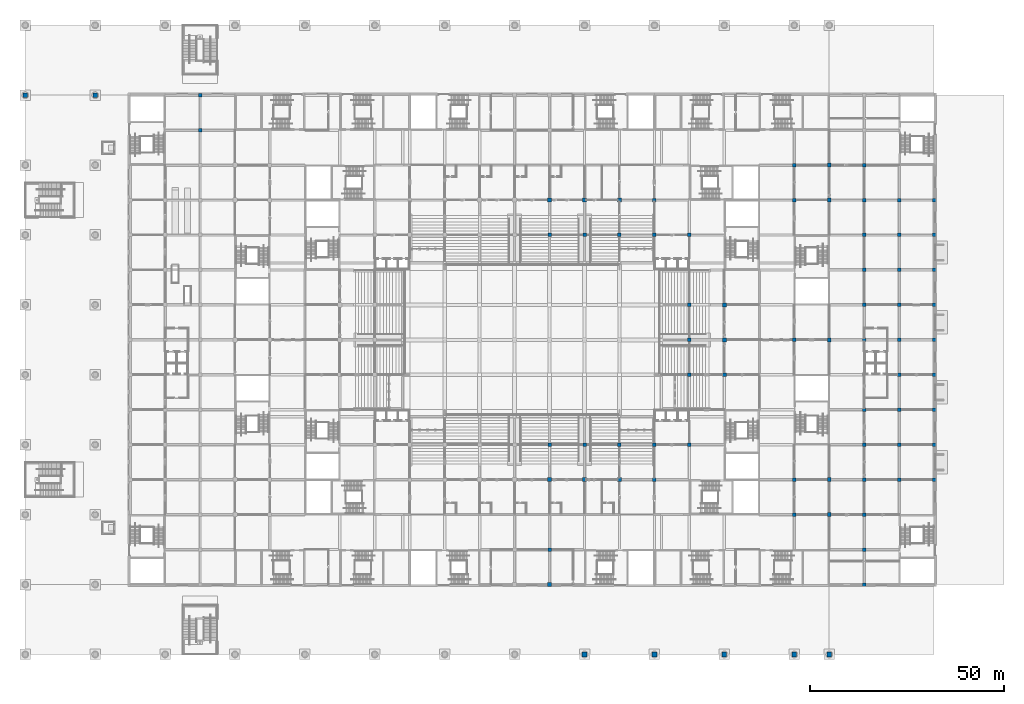
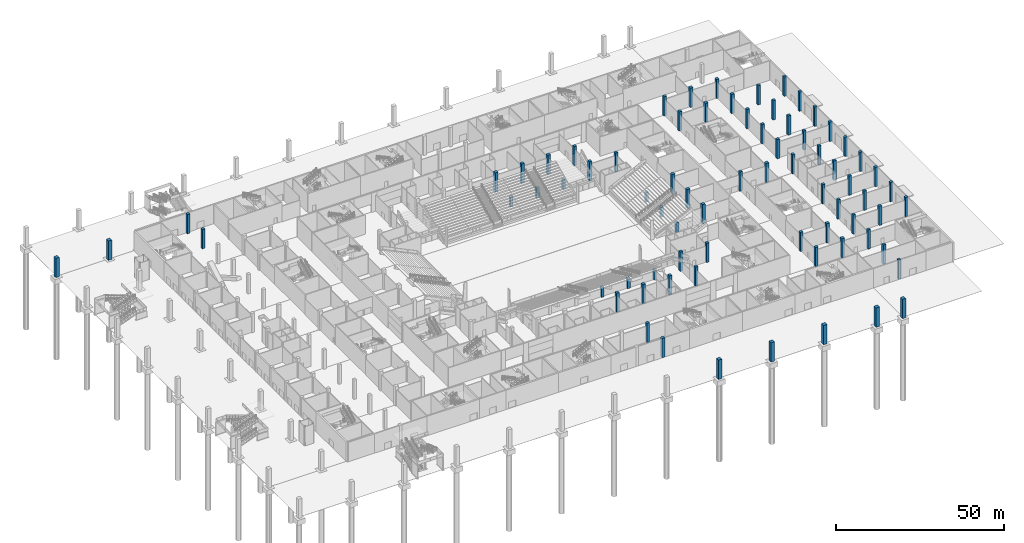
# One storey, part 5 of 92: 75 columns.
"""IFC4 building model written with IfcOpenShell, lengths in metres."""

from ifc_helpers import new_model, si_unit, direction, frame, origin, origin_2d, place, context, subcontext, project, spatial, rectangle, extrude, material, material_profile, profile_set, type_object, element, save


model = new_model("IFC4")

# Units and contexts
model_context = context("Model", 3, precision=1e-05, world=origin(), true_north=direction((0.0, 1.0)))
body_context = subcontext(model_context, "Body", "Model", "MODEL_VIEW")
ifc_project = project(units=[si_unit("LENGTHUNIT", "METRE"), si_unit("AREAUNIT", "SQUARE_METRE"), si_unit("VOLUMEUNIT", "CUBIC_METRE"), si_unit("PLANEANGLEUNIT", "RADIAN"), si_unit("MASSUNIT", "GRAM", prefix="KILO")], contexts=[model_context])

# Site, building, storey
site_placement = place(None, origin())
site = spatial("IfcSite", under=ifc_project, at=site_placement, CompositionType="ELEMENT")
building_placement = place(site_placement, origin())
building = spatial("IfcBuilding", under=site, at=building_placement, Name="Silverbay Arena", CompositionType="ELEMENT")
storey_placement = place(building_placement, origin())
storey = spatial("IfcBuildingStorey", under=building, at=storey_placement, Name="L00", CompositionType="ELEMENT", Elevation=0.0)

# Columns
ifc_material_1 = material(Name="Concrete Grade 60", Category="concrete")
ifc_material_profile_1 = material_profile(ifc_material_1, rectangle(XDim=1.0, YDim=1.0, at=origin_2d()), Name="RC 1000x1000")
ifc_profile_set_1 = profile_set([ifc_material_profile_1], Name="Concrete Grade 60")
column_type_1 = type_object("IfcColumnType", Name="RC column 1000x1000", PredefinedType="COLUMN", material=ifc_profile_set_1)
for number, where, z_axis, x_axis, name in (
    (1, (135.0, 18.0, 0.0), (0.0, 0.0, 1.0), (1.0, 0.0, 0.0), "Column 16/C L00"),
    (2, (207.0, 36.0, 0.0), (0.0, 0.0, 1.0), (1.0, 0.0, 0.0), "Column 24/E L00"),
    (3, (207.0, 45.0, 0.0), (0.0, 0.0, 1.0), (1.0, 0.0, 0.0), "Column 24/F L00"),
    (4, (207.0, 81.0, 0.0), (0.0, 0.0, 1.0), (1.0, 0.0, 0.0), "Column 24/K L00"),
    (5, (207.0, 117.0, 0.0), (0.0, 0.0, 1.0), (1.0, 0.0, 0.0), "Column 24/P L00"),
    (6, (207.0, 126.0, 0.0), (0.0, 0.0, 1.0), (1.0, 0.0, 0.0), "Column 24/Q L00"),
    (7, (135.0, 45.0, 0.0), (0.0, 0.0, 1.0), (1.0, 0.0, 0.0), "Column 16/F L00"),
    (8, (144.0, 45.0, 0.0), (0.0, 0.0, 1.0), (1.0, 0.0, 0.0), "Column 17/F L00"),
    (9, (153.0, 45.0, 0.0), (0.0, 0.0, 1.0), (1.0, 0.0, 0.0), "Column 18/F L00"),
    (10, (135.0, 117.0, 0.0), (0.0, 0.0, 1.0), (1.0, 0.0, 0.0), "Column 16/P L00"),
    (11, (144.0, 117.0, 0.0), (0.0, 0.0, 1.0), (1.0, 0.0, 0.0), "Column 17/P L00"),
    (12, (153.0, 117.0, 0.0), (0.0, 0.0, 1.0), (1.0, 0.0, 0.0), "Column 18/P L00"),
    (13, (180.0, 72.0, 0.0), (0.0, 0.0, 1.0), (1.0, 0.0, 0.0), "Column 21/J L00"),
    (14, (180.0, 81.0, 0.0), (0.0, 0.0, 1.0), (1.0, 0.0, 0.0), "Column 21/K L00"),
    (15, (180.0, 90.0, 0.0), (0.0, 0.0, 1.0), (1.0, 0.0, 0.0), "Column 21/L L00"),
):
    element("IfcColumn", number, at=place(storey_placement, frame(where, z_axis=z_axis, x_axis=x_axis)), inside=storey, type_object=column_type_1, Name=name, PredefinedType="COLUMN", context=body_context, shape_type="SweptSolid", body=[
        extrude(rectangle(XDim=1.0, YDim=1.0, at=origin_2d()), origin(), (0.0, 0.0, 1.0), 7.0),
    ])
ifc_material_2 = material(Name="Concrete Grade 60", Category="concrete")
ifc_material_profile_2 = material_profile(ifc_material_2, rectangle(XDim=1.199951171875, YDim=1.199951171875, at=origin_2d()), Name="RC 1200x1200")
ifc_profile_set_2 = profile_set([ifc_material_profile_2], Name="Concrete Grade 60")
column_type_2 = type_object("IfcColumnType", Name="RC column 1200x1200", PredefinedType="COLUMN", material=ifc_profile_set_2)
for number, where, z_axis, x_axis, name in (
    (16, (0.0, 144.0, 0.0), (0.0, 0.0, 1.0), (1.0, 0.0, 0.0), "Column 1/S L00"),
    (17, (18.0, 144.0, 0.0), (0.0, 0.0, 1.0), (1.0, 0.0, 0.0), "Column 3/S L00"),
    (18, (144.0, 0.0, 0.0), (0.0, 0.0, 1.0), (1.0, 0.0, 0.0), "Column 17/A L00"),
    (19, (162.0, 0.0, 0.0), (0.0, 0.0, 1.0), (1.0, 0.0, 0.0), "Column 19/A L00"),
    (20, (180.0, 0.0, 0.0), (0.0, 0.0, 1.0), (1.0, 0.0, 0.0), "Column 21/A L00"),
    (21, (198.0, 0.0, 0.0), (0.0, 0.0, 1.0), (1.0, 0.0, 0.0), "Column 23/A L00"),
    (22, (207.0, 0.0, 0.0), (0.0, 0.0, 1.0), (1.0, 0.0, 0.0), "Column 24/A L00"),
):
    element("IfcColumn", number, at=place(storey_placement, frame(where, z_axis=z_axis, x_axis=x_axis)), inside=storey, type_object=column_type_2, Name=name, PredefinedType="COLUMN", context=body_context, shape_type="SweptSolid", body=[
        extrude(rectangle(XDim=1.199951171875, YDim=1.199951171875, at=origin_2d()), origin(), (0.0, 0.0, 1.0), 7.0),
    ])
ifc_material_3 = material(Name="Concrete Grade C45", Category="concrete")
ifc_material_profile_3 = material_profile(ifc_material_3, rectangle(XDim=0.89990234375, YDim=0.89990234375, at=origin_2d()), Name="RC 900x900")
ifc_profile_set_3 = profile_set([ifc_material_profile_3], Name="Concrete Grade C45")
column_type_3 = type_object("IfcColumnType", Name="RC column 900x900", PredefinedType="COLUMN", material=ifc_profile_set_3)
for number, where, z_axis, x_axis, name in (
    (23, (135.0, 27.0, 0.0), (0.0, 0.0, 1.0), (1.0, 0.0, 0.0), "Column 16/D L00"),
    (24, (198.0, 36.0, 0.0), (0.0, 0.0, 1.0), (1.0, 0.0, 0.0), "Column 23/E L00"),
    (25, (198.0, 45.0, 0.0), (0.0, 0.0, 1.0), (1.0, 0.0, 0.0), "Column 23/F L00"),
    (26, (198.0, 81.0, 0.0), (0.0, 0.0, 1.0), (1.0, 0.0, 0.0), "Column 23/K L00"),
    (27, (198.0, 117.0, 0.0), (0.0, 0.0, 1.0), (1.0, 0.0, 0.0), "Column 23/P L00"),
    (28, (198.0, 126.0, 0.0), (0.0, 0.0, 1.0), (1.0, 0.0, 0.0), "Column 23/Q L00"),
    (29, (45.0, 135.0, 0.0), (0.0, 0.0, 1.0), (1.0, 0.0, 0.0), "Column 6/R L00"),
    (30, (45.0, 144.0, 0.0), (0.0, 0.0, 1.0), (1.0, 0.0, 0.0), "Column 6/S L00"),
    (31, (216.0, 18.0, 0.0), (0.0, 0.0, 1.0), (1.0, 0.0, 0.0), "Column 25/C L00"),
    (32, (216.0, 27.0, 0.0), (0.0, 0.0, 1.0), (1.0, 0.0, 0.0), "Column 25/D L00"),
    (33, (216.0, 36.0, 0.0), (0.0, 0.0, 1.0), (1.0, 0.0, 0.0), "Column 25/E L00"),
    (34, (216.0, 45.0, 0.0), (0.0, 0.0, 1.0), (1.0, 0.0, 0.0), "Column 25/F L00"),
    (35, (216.0, 54.0, 0.0), (0.0, 0.0, 1.0), (1.0, 0.0, 0.0), "Column 25/G L00"),
    (36, (216.0, 63.0, 0.0), (0.0, 0.0, 1.0), (1.0, 0.0, 0.0), "Column 25/H L00"),
    (37, (216.0, 81.0, 0.0), (0.0, 0.0, 1.0), (1.0, 0.0, 0.0), "Column 25/K L00"),
    (38, (216.0, 90.0, 0.0), (0.0, 0.0, 1.0), (1.0, 0.0, 0.0), "Column 25/L L00"),
    (39, (216.0, 99.0, 0.0), (0.0, 0.0, 1.0), (1.0, 0.0, 0.0), "Column 25/M L00"),
    (40, (216.0, 108.0, 0.0), (0.0, 0.0, 1.0), (1.0, 0.0, 0.0), "Column 25/N L00"),
    (41, (216.0, 117.0, 0.0), (0.0, 0.0, 1.0), (1.0, 0.0, 0.0), "Column 25/P L00"),
    (42, (216.0, 126.0, 0.0), (0.0, 0.0, 1.0), (1.0, 0.0, 0.0), "Column 25/Q L00"),
    (43, (225.0, 45.0, 0.0), (0.0, 0.0, 1.0), (1.0, 0.0, 0.0), "Column 26/F L00"),
    (44, (225.0, 54.0, 0.0), (0.0, 0.0, 1.0), (1.0, 0.0, 0.0), "Column 26/G L00"),
    (45, (225.0, 63.0, 0.0), (0.0, 0.0, 1.0), (1.0, 0.0, 0.0), "Column 26/H L00"),
    (46, (225.0, 72.0, 0.0), (0.0, 0.0, 1.0), (1.0, 0.0, 0.0), "Column 26/J L00"),
    (47, (225.0, 81.0, 0.0), (0.0, 0.0, 1.0), (1.0, 0.0, 0.0), "Column 26/K L00"),
    (48, (225.0, 90.0, 0.0), (0.0, 0.0, 1.0), (1.0, 0.0, 0.0), "Column 26/L L00"),
    (49, (225.0, 99.0, 0.0), (0.0, 0.0, 1.0), (1.0, 0.0, 0.0), "Column 26/M L00"),
    (50, (225.0, 108.0, 0.0), (0.0, 0.0, 1.0), (1.0, 0.0, 0.0), "Column 26/N L00"),
    (51, (225.0, 117.0, 0.0), (0.0, 0.0, 1.0), (1.0, 0.0, 0.0), "Column 26/P L00"),
    (52, (234.0, 45.0, 0.0), (0.0, 0.0, 1.0), (1.0, 0.0, 0.0), "Column 27/F L00"),
    (53, (234.0, 54.0, 0.0), (0.0, 0.0, 1.0), (1.0, 0.0, 0.0), "Column 27/G L00"),
    (54, (234.0, 63.0, 0.0), (0.0, 0.0, 1.0), (1.0, 0.0, 0.0), "Column 27/H L00"),
    (55, (234.0, 72.0, 0.0), (0.0, 0.0, 1.0), (1.0, 0.0, 0.0), "Column 27/J L00"),
    (56, (234.0, 81.0, 0.0), (0.0, 0.0, 1.0), (1.0, 0.0, 0.0), "Column 27/K L00"),
    (57, (234.0, 90.0, 0.0), (0.0, 0.0, 1.0), (1.0, 0.0, 0.0), "Column 27/L L00"),
    (58, (234.0, 99.0, 0.0), (0.0, 0.0, 1.0), (1.0, 0.0, 0.0), "Column 27/M L00"),
    (59, (234.0, 108.0, 0.0), (0.0, 0.0, 1.0), (1.0, 0.0, 0.0), "Column 27/N L00"),
    (60, (234.0, 117.0, 0.0), (0.0, 0.0, 1.0), (1.0, 0.0, 0.0), "Column 27/P L00"),
    (61, (162.0, 45.0, 0.0), (0.0, 0.0, 1.0), (1.0, 0.0, 0.0), "Column 19/F L00"),
    (62, (162.0, 54.0, 0.0), (0.0, 0.0, 1.0), (1.0, 0.0, 0.0), "Column 19/G L00"),
    (63, (171.0, 54.0, 0.0), (0.0, 0.0, 1.0), (1.0, 0.0, 0.0), "Column 20/G L00"),
    (64, (162.0, 108.0, 0.0), (0.0, 0.0, 1.0), (1.0, 0.0, 0.0), "Column 19/N L00"),
    (65, (162.0, 117.0, 0.0), (0.0, 0.0, 1.0), (1.0, 0.0, 0.0), "Column 19/P L00"),
    (66, (171.0, 108.0, 0.0), (0.0, 0.0, 1.0), (1.0, 0.0, 0.0), "Column 20/N L00"),
):
    element("IfcColumn", number, at=place(storey_placement, frame(where, z_axis=z_axis, x_axis=x_axis)), inside=storey, type_object=column_type_3, Name=name, PredefinedType="COLUMN", context=body_context, shape_type="SweptSolid", body=[
        extrude(rectangle(XDim=0.89990234375, YDim=0.89990234375, at=origin_2d()), origin(), (0.0, 0.0, 1.0), 7.0),
    ])
column_1_placement = place(storey_placement, frame((135.0, 54.0, 0.0), z_axis=(0.0, 0.0, 1.0), x_axis=(1.0, 0.0, 0.0)))
element("IfcColumn", 67, at=column_1_placement, inside=storey, type_object=column_type_3, Name="Column 16/G L00", PredefinedType="COLUMN", context=body_context, shape_type="SweptSolid", body=[
    extrude(rectangle(XDim=0.89990234375, YDim=0.89990234375, at=origin_2d()), origin(), (0.0, 0.0, 1.0), 3.5517578125),
])
column_2_placement = place(storey_placement, frame((144.0, 54.0, 0.0), z_axis=(0.0, 0.0, 1.0), x_axis=(1.0, 0.0, 0.0)))
element("IfcColumn", 68, at=column_2_placement, inside=storey, type_object=column_type_3, Name="Column 17/G L00", PredefinedType="COLUMN", context=body_context, shape_type="SweptSolid", body=[
    extrude(rectangle(XDim=0.89990234375, YDim=0.89990234375, at=origin_2d()), origin(), (0.0, 0.0, 1.0), 3.662353515625),
])
for number, where, z_axis, x_axis, name in (
    (69, (153.0, 54.0, 0.0), (0.0, 0.0, 1.0), (1.0, 0.0, 0.0), "Column 18/G L00"),
    (70, (135.0, 108.0, 0.0), (0.0, 0.0, 1.0), (1.0, 0.0, 0.0), "Column 16/N L00"),
):
    element("IfcColumn", number, at=place(storey_placement, frame(where, z_axis=z_axis, x_axis=x_axis)), inside=storey, type_object=column_type_3, Name=name, PredefinedType="COLUMN", context=body_context, shape_type="SweptSolid", body=[
        extrude(rectangle(XDim=0.89990234375, YDim=0.89990234375, at=origin_2d()), origin(), (0.0, 0.0, 1.0), 3.5517578125),
    ])
column_3_placement = place(storey_placement, frame((144.0, 108.0, 0.0), z_axis=(0.0, 0.0, 1.0), x_axis=(1.0, 0.0, 0.0)))
element("IfcColumn", 71, at=column_3_placement, inside=storey, type_object=column_type_3, Name="Column 17/N L00", PredefinedType="COLUMN", context=body_context, shape_type="SweptSolid", body=[
    extrude(rectangle(XDim=0.89990234375, YDim=0.89990234375, at=origin_2d()), origin(), (0.0, 0.0, 1.0), 3.662353515625),
])
for number, where, z_axis, x_axis, name in (
    (72, (153.0, 108.0, 0.0), (0.0, 0.0, 1.0), (1.0, 0.0, 0.0), "Column 18/N L00"),
    (73, (171.0, 72.0, 0.0), (0.0, 0.0, 1.0), (1.0, 0.0, 0.0), "Column 20/J L00"),
):
    element("IfcColumn", number, at=place(storey_placement, frame(where, z_axis=z_axis, x_axis=x_axis)), inside=storey, type_object=column_type_3, Name=name, PredefinedType="COLUMN", context=body_context, shape_type="SweptSolid", body=[
        extrude(rectangle(XDim=0.89990234375, YDim=0.89990234375, at=origin_2d()), origin(), (0.0, 0.0, 1.0), 3.5517578125),
    ])
column_4_placement = place(storey_placement, frame((171.0, 81.0, 0.0), z_axis=(0.0, 0.0, 1.0), x_axis=(1.0, 0.0, 0.0)))
element("IfcColumn", 74, at=column_4_placement, inside=storey, type_object=column_type_3, Name="Column 20/K L00", PredefinedType="COLUMN", context=body_context, shape_type="SweptSolid", body=[
    extrude(rectangle(XDim=0.89990234375, YDim=0.89990234375, at=origin_2d()), origin(), (0.0, 0.0, 1.0), 3.662353515625),
])
column_5_placement = place(storey_placement, frame((171.0, 90.0, 0.0), z_axis=(0.0, 0.0, 1.0), x_axis=(1.0, 0.0, 0.0)))
element("IfcColumn", 75, at=column_5_placement, inside=storey, type_object=column_type_3, Name="Column 20/L L00", PredefinedType="COLUMN", context=body_context, shape_type="SweptSolid", body=[
    extrude(rectangle(XDim=0.89990234375, YDim=0.89990234375, at=origin_2d()), origin(), (0.0, 0.0, 1.0), 3.5517578125),
])

save(model, "model.ifc")
